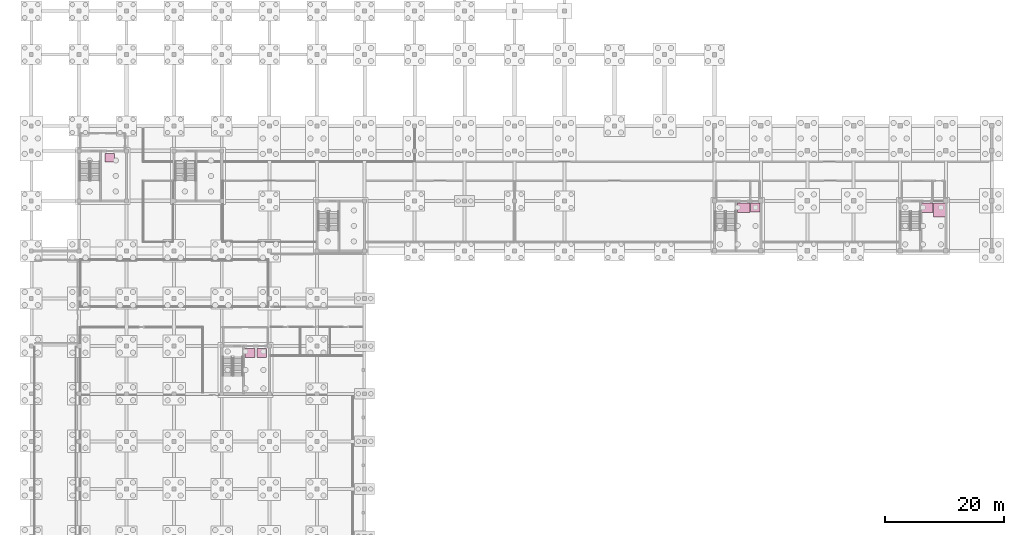
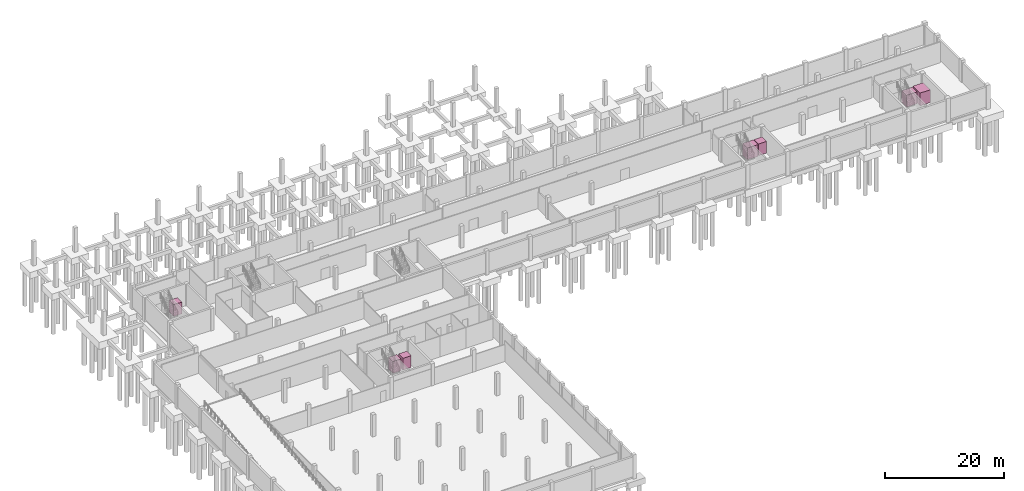
# One storey, part 22 of 22: 7 transport elements.
"""IFC4 building model written with IfcOpenShell, lengths in metres."""

import ifcopenshell
import ifcopenshell.guid

model = None  # the IFC model being written
_history = None  # IfcOwnerHistory: only IFC2X3 demands one
_inside = {}  # id of a spatial element -> (the spatial element, [elements in it])
_under = {}  # id of a project, library or spatial element -> (it, [spatial elements below it])
_declared = {}  # id of a project -> (the project, [libraries it declares])
_typed = {}  # id of a type object -> (the type object, [elements of that type])
_made_of = {}  # id of a material, layer set ... -> (it, [elements and type objects made of it])


def new_model(schema):
    """Start an empty IFC model of exactly this schema.

    Asked for "IFC4X3", IfcOpenShell would pick the latest addendum, in which some entities
    have other attributes; the version numbers below select the first issue.
    IFC2X3 requires an IfcOwnerHistory on every rooted entity: one is made here for all.
    """
    global model, _history
    if schema == "IFC4X3":
        model = ifcopenshell.file(schema_version=(4, 3, 0, 0))
    else:
        model = ifcopenshell.file(schema=schema)
    _inside.clear()
    _under.clear()
    _declared.clear()
    _typed.clear()
    _made_of.clear()
    _history = None
    if model.schema == "IFC2X3":
        org = make("IfcOrganization", Name="unknown")
        user = make(
            "IfcPersonAndOrganization",
            ThePerson=make("IfcPerson", FamilyName="unknown"),
            TheOrganization=org,
        )
        app = make(
            "IfcApplication",
            ApplicationDeveloper=org,
            Version="unknown",
            ApplicationFullName="unknown",
            ApplicationIdentifier="unknown",
        )
        _history = make(
            "IfcOwnerHistory",
            OwningUser=user,
            OwningApplication=app,
            ChangeAction="ADDED",
            CreationDate=0,
        )
    return model


def make(cls, **values):
    """One entity of the class cls with the attributes given. An attribute that is None is left unset."""
    return model.create_entity(
        cls, **{name: value for name, value in values.items() if value is not None}
    )


def rooted(cls, **values):
    """An entity with a GlobalId (a new one), such as an element, a storey or a relation."""
    return make(cls, GlobalId=ifcopenshell.guid.new(), OwnerHistory=_history, **values)


def si_unit(unit_type, name, prefix=None):
    """IfcSIUnit, for example si_unit("LENGTHUNIT", "METRE", prefix="MILLI")."""
    return make("IfcSIUnit", UnitType=unit_type, Prefix=prefix, Name=name)


def assignment(units):
    """IfcUnitAssignment: the units of a project."""
    return None if units is None else make("IfcUnitAssignment", Units=units)


def point(xyz):
    """IfcCartesianPoint."""
    return None if xyz is None else make("IfcCartesianPoint", Coordinates=xyz)


def direction(xyz):
    """IfcDirection."""
    return None if xyz is None else make("IfcDirection", DirectionRatios=xyz)


def frame(location, z_axis=None, x_axis=None):
    """IfcAxis2Placement3D, a coordinate frame: its origin and axes. An axis left out is left unset."""
    return make(
        "IfcAxis2Placement3D",
        Location=point(location),
        Axis=direction(z_axis),
        RefDirection=direction(x_axis),
    )


def frame_2d(location, x_axis=None):
    """IfcAxis2Placement2D, a coordinate frame in the plane: its origin and x axis."""
    return make(
        "IfcAxis2Placement2D", Location=point(location), RefDirection=direction(x_axis)
    )


def origin():
    """The frame at (0, 0, 0) with its axes left unset."""
    return frame((0.0, 0.0, 0.0))


def origin_2d():
    """The frame at (0, 0) in the plane with its x axis left unset."""
    return frame_2d((0.0, 0.0))


def place(relative_to, where):
    """IfcLocalPlacement: puts the frame where relative to a parent placement (None: the world)."""
    return make(
        "IfcLocalPlacement", PlacementRelTo=relative_to, RelativePlacement=where
    )


def context(
    kind, dimensions, precision=None, world=None, true_north=None, identifier=None
):
    """IfcGeometricRepresentationContext, for example the 3D "Model" context."""
    return make(
        "IfcGeometricRepresentationContext",
        ContextIdentifier=identifier,
        ContextType=kind,
        CoordinateSpaceDimension=dimensions,
        Precision=precision,
        WorldCoordinateSystem=world,
        TrueNorth=true_north,
    )


def subcontext(parent, identifier, kind, view, scale=None):
    """IfcGeometricRepresentationSubContext, for example "Body" below "Model"."""
    return make(
        "IfcGeometricRepresentationSubContext",
        ContextIdentifier=identifier,
        ContextType=kind,
        ParentContext=parent,
        TargetScale=scale,
        TargetView=view,
    )


def project(units=None, contexts=None):
    """IfcProject with its units and contexts."""
    return rooted(
        "IfcProject",
        Name="project",
        RepresentationContexts=contexts,
        UnitsInContext=assignment(units),
    )


def spatial(cls, under=None, at=None, **own):
    """A site, building, storey or space (cls), placed at a placement, below another one or the project."""
    s = rooted(cls, ObjectPlacement=at, **own)
    if under is not None:
        _under.setdefault(under.id(), (under, []))[1].append(s)
    return s


def profile(cls, at=None, kind="AREA", **sizes):
    """A parametric profile (cls). Its sizes go by their IFC names, for example OverallWidth=200.0."""
    return make(cls, ProfileType=kind, Position=at, **sizes)


def rectangle(**sizes):
    """IfcRectangleProfileDef."""
    return profile("IfcRectangleProfileDef", **sizes)


def extrude(swept, where, along, depth):
    """IfcExtrudedAreaSolid: the profile swept, set in the frame where, extruded along a direction by depth."""
    return make(
        "IfcExtrudedAreaSolid",
        SweptArea=swept,
        Position=where,
        ExtrudedDirection=direction(along),
        Depth=depth,
    )


def shape(context_of_items, identifier, shape_type, items):
    """IfcShapeRepresentation: the items that make up one representation, for example the "Body"."""
    return make(
        "IfcShapeRepresentation",
        ContextOfItems=context_of_items,
        RepresentationIdentifier=identifier,
        RepresentationType=shape_type,
        Items=items,
    )


def material(Name=None, Category=None):
    """IfcMaterial."""
    return make("IfcMaterial", Name=Name, Category=Category)


def made_of(thing, what):
    """Note that an element or type object is made of a material, layer set ...; save() writes the relation."""
    if what is not None:
        _made_of.setdefault(what.id(), (what, []))[1].append(thing)
    return thing


def type_object(cls, material=None, **own):
    """A type object (cls), such as IfcWallType, which elements share."""
    return made_of(rooted(cls, **own), material)


def element(
    cls,
    number,
    at=None,
    inside=None,
    cuts=None,
    type_object=None,
    material=None,
    context=None,
    identifier="Body",
    shape_type=None,
    held_by="IfcProductDefinitionShape",
    body=None,
    shapes=None,
    **own,
):
    """One element of the class cls, such as IfcWall. Its Tag is "e" and its number.

    at: its placement. inside: the storey or other place that contains it. cuts: it is an
    opening in that element (IfcRelVoidsElement). A single representation is given by context,
    identifier, shape_type and body (its items); several are given by shapes. held_by: the class
    of the entity that holds the representations. save() writes the other relations.
    """
    e = rooted(cls, Tag="e%d" % number, ObjectPlacement=at, **own)
    if body is not None:
        shapes = [shape(context, identifier, shape_type, body)]
    if shapes is not None:
        e.Representation = make(held_by, Representations=shapes)
    if inside is not None:
        _inside.setdefault(inside.id(), (inside, []))[1].append(e)
    if cuts is not None:
        rooted(
            "IfcRelVoidsElement", RelatingBuildingElement=cuts, RelatedOpeningElement=e
        )
    if type_object is not None:
        _typed.setdefault(type_object.id(), (type_object, []))[1].append(e)
    return made_of(e, material)


def aggregate(whole, parts):
    """IfcRelAggregates: a whole, such as a stair, and the parts it consists of."""
    return rooted("IfcRelAggregates", RelatingObject=whole, RelatedObjects=parts)


def save(model, path):
    """Write the relations noted so far, then the file.

    IfcRelAggregates (storeys below a building ...), IfcRelContainedInSpatialStructure (elements
    in a storey), IfcRelDefinesByType, IfcRelAssociatesMaterial and IfcRelDeclares: one each for
    every whole, place, type object, material and project.
    """
    for whole, parts in _under.values():
        aggregate(whole, parts)
    for where, things in _inside.values():
        rooted(
            "IfcRelContainedInSpatialStructure",
            RelatedElements=things,
            RelatingStructure=where,
        )
    for kind, things in _typed.values():
        rooted("IfcRelDefinesByType", RelatedObjects=things, RelatingType=kind)
    for what, things in _made_of.values():
        rooted("IfcRelAssociatesMaterial", RelatedObjects=things, RelatingMaterial=what)
    for by, libraries in _declared.values():
        rooted("IfcRelDeclares", RelatingContext=by, RelatedDefinitions=libraries)
    model.write(path)


model = new_model("IFC4")

# Units and contexts
model_context = context("Model", 3, precision=1e-05, world=origin(), true_north=direction((0.0, 1.0)))
body_context = subcontext(model_context, "Body", "Model", "MODEL_VIEW")
ifc_project = project(units=[si_unit("LENGTHUNIT", "METRE"), si_unit("AREAUNIT", "SQUARE_METRE"), si_unit("VOLUMEUNIT", "CUBIC_METRE"), si_unit("PLANEANGLEUNIT", "RADIAN"), si_unit("MASSUNIT", "GRAM", prefix="KILO")], contexts=[model_context])

# Site, building, storey
site_placement = place(None, origin())
site = spatial("IfcSite", under=ifc_project, at=site_placement, CompositionType="ELEMENT")
building_placement = place(site_placement, origin())
building = spatial("IfcBuilding", under=site, at=building_placement, Name="Vharandega Faculty of Natural Sciences", CompositionType="ELEMENT")
storey_placement = place(building_placement, frame((0.0, 0.0, -4.5)))
storey = spatial("IfcBuildingStorey", under=building, at=storey_placement, Name="B01", CompositionType="ELEMENT", Elevation=-4.5)

# Transport elements
ifc_material_1 = material(Name="Stainless steel lift car", Category="steel")
transport_element_type_1 = type_object("IfcTransportElementType", Name="Firefighting Stretcher Lift 1600kg", PredefinedType="ELEVATOR", material=ifc_material_1)
for number, where, z_axis, x_axis, name in (
    (1, (119.699951171875, 71.260009765625, 0.0), (0.0, 0.0, 1.0), (1.0, 0.0, 0.0), "Firefighting Lift FL1"),
    (2, (150.510009765625, 71.260009765625, 0.0), (0.0, 0.0, 1.0), (1.0, 0.0, 0.0), "Firefighting Lift FL2"),
):
    element("IfcTransportElement", number, at=place(storey_placement, frame(where, z_axis=z_axis, x_axis=x_axis)), inside=storey, type_object=transport_element_type_1, Name=name, PredefinedType="ELEVATOR", context=body_context, shape_type="SweptSolid", body=[
        extrude(rectangle(XDim=2.10009765625, YDim=1.60009765625, at=origin_2d()), origin(), (0.0, 0.0, 1.0), 2.39990234375),
    ])
ifc_material_2 = material(Name="Heavy-duty stainless steel goods car", Category="steel")
transport_element_type_2 = type_object("IfcTransportElementType", Name="Laboratory Goods Lift 2500kg", PredefinedType="ELEVATOR", material=ifc_material_2)
transport_element_placement = place(storey_placement, frame((152.6298828125, 70.860107421875, 0.0), z_axis=(0.0, 0.0, 1.0), x_axis=(1.0, 0.0, 0.0)))
element("IfcTransportElement", 3, at=transport_element_placement, inside=storey, type_object=transport_element_type_2, Name="Laboratory Goods Lift LG1", PredefinedType="ELEVATOR", context=body_context, shape_type="SweptSolid", body=[
    extrude(rectangle(XDim=2.0, YDim=2.39990234375, at=origin_2d()), origin(), (0.0, 0.0, 1.0), 2.60009765625),
])
ifc_material_3 = material(Name="Stainless steel lift car", Category="steel")
transport_element_type_3 = type_object("IfcTransportElementType", Name="Passenger Lift 1350kg", PredefinedType="ELEVATOR", material=ifc_material_3)
for number, where, z_axis, x_axis, name in (
    (4, (121.659912109375, 71.31005859375, 0.0), (0.0, 0.0, 1.0), (1.0, 0.0, 0.0), "Passenger Lift LP1"),
    (5, (36.75, 46.860107421875, 0.0), (0.0, 0.0, 1.0), (1.0, 0.0, 0.0), "Passenger Lift LP3"),
    (6, (38.699951171875, 46.860107421875, 0.0), (0.0, 0.0, 1.0), (1.0, 0.0, 0.0), "Passenger Lift LP4"),
    (7, (13.199951171875, 79.659912109375, 0.0), (0.0, 0.0, 1.0), (1.0, 0.0, 0.0), "Passenger Lift LP2"),
):
    element("IfcTransportElement", number, at=place(storey_placement, frame(where, z_axis=z_axis, x_axis=x_axis)), inside=storey, type_object=transport_element_type_3, Name=name, PredefinedType="ELEVATOR", context=body_context, shape_type="SweptSolid", body=[
        extrude(rectangle(XDim=1.60009765625, YDim=1.5, at=origin_2d()), origin(), (0.0, 0.0, 1.0), 2.39990234375),
    ])

save(model, "model.ifc")
